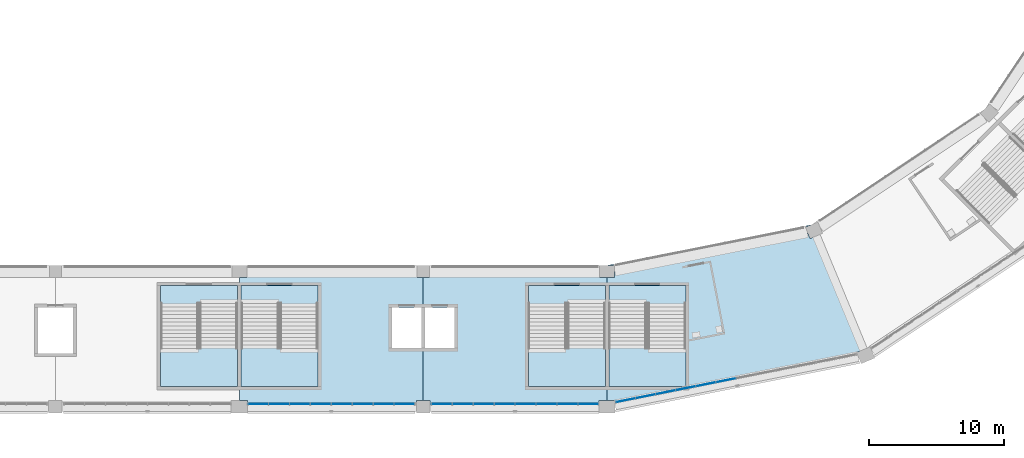
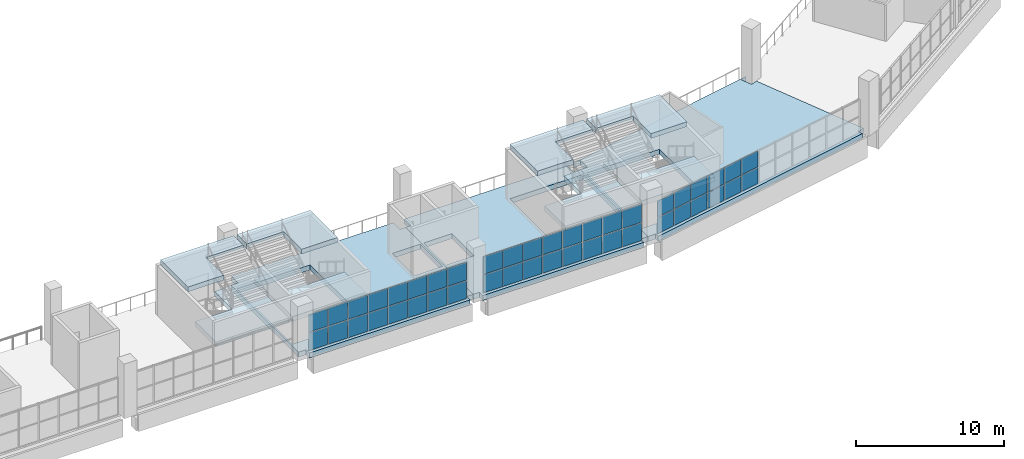
# One storey, part 46 of 177: 44 plates, 11 slabs, 7 elements without a shape of their own.
"""IFC4 building model written with IfcOpenShell, lengths in metres."""

import ifcopenshell
import ifcopenshell.guid

model = None  # the IFC model being written
_history = None  # IfcOwnerHistory: only IFC2X3 demands one
_inside = {}  # id of a spatial element -> (the spatial element, [elements in it])
_under = {}  # id of a project, library or spatial element -> (it, [spatial elements below it])
_declared = {}  # id of a project -> (the project, [libraries it declares])
_typed = {}  # id of a type object -> (the type object, [elements of that type])
_made_of = {}  # id of a material, layer set ... -> (it, [elements and type objects made of it])


def new_model(schema):
    """Start an empty IFC model of exactly this schema.

    Asked for "IFC4X3", IfcOpenShell would pick the latest addendum, in which some entities
    have other attributes; the version numbers below select the first issue.
    IFC2X3 requires an IfcOwnerHistory on every rooted entity: one is made here for all.
    """
    global model, _history
    if schema == "IFC4X3":
        model = ifcopenshell.file(schema_version=(4, 3, 0, 0))
    else:
        model = ifcopenshell.file(schema=schema)
    _inside.clear()
    _under.clear()
    _declared.clear()
    _typed.clear()
    _made_of.clear()
    _history = None
    if model.schema == "IFC2X3":
        org = make("IfcOrganization", Name="unknown")
        user = make(
            "IfcPersonAndOrganization",
            ThePerson=make("IfcPerson", FamilyName="unknown"),
            TheOrganization=org,
        )
        app = make(
            "IfcApplication",
            ApplicationDeveloper=org,
            Version="unknown",
            ApplicationFullName="unknown",
            ApplicationIdentifier="unknown",
        )
        _history = make(
            "IfcOwnerHistory",
            OwningUser=user,
            OwningApplication=app,
            ChangeAction="ADDED",
            CreationDate=0,
        )
    return model


def make(cls, **values):
    """One entity of the class cls with the attributes given. An attribute that is None is left unset."""
    return model.create_entity(
        cls, **{name: value for name, value in values.items() if value is not None}
    )


def rooted(cls, **values):
    """An entity with a GlobalId (a new one), such as an element, a storey or a relation."""
    return make(cls, GlobalId=ifcopenshell.guid.new(), OwnerHistory=_history, **values)


def si_unit(unit_type, name, prefix=None):
    """IfcSIUnit, for example si_unit("LENGTHUNIT", "METRE", prefix="MILLI")."""
    return make("IfcSIUnit", UnitType=unit_type, Prefix=prefix, Name=name)


def assignment(units):
    """IfcUnitAssignment: the units of a project."""
    return None if units is None else make("IfcUnitAssignment", Units=units)


def point(xyz):
    """IfcCartesianPoint."""
    return None if xyz is None else make("IfcCartesianPoint", Coordinates=xyz)


def direction(xyz):
    """IfcDirection."""
    return None if xyz is None else make("IfcDirection", DirectionRatios=xyz)


def frame(location, z_axis=None, x_axis=None):
    """IfcAxis2Placement3D, a coordinate frame: its origin and axes. An axis left out is left unset."""
    return make(
        "IfcAxis2Placement3D",
        Location=point(location),
        Axis=direction(z_axis),
        RefDirection=direction(x_axis),
    )


def frame_2d(location, x_axis=None):
    """IfcAxis2Placement2D, a coordinate frame in the plane: its origin and x axis."""
    return make(
        "IfcAxis2Placement2D", Location=point(location), RefDirection=direction(x_axis)
    )


def origin():
    """The frame at (0, 0, 0) with its axes left unset."""
    return frame((0.0, 0.0, 0.0))


def origin_2d():
    """The frame at (0, 0) in the plane with its x axis left unset."""
    return frame_2d((0.0, 0.0))


def place(relative_to, where):
    """IfcLocalPlacement: puts the frame where relative to a parent placement (None: the world)."""
    return make(
        "IfcLocalPlacement", PlacementRelTo=relative_to, RelativePlacement=where
    )


def context(
    kind, dimensions, precision=None, world=None, true_north=None, identifier=None
):
    """IfcGeometricRepresentationContext, for example the 3D "Model" context."""
    return make(
        "IfcGeometricRepresentationContext",
        ContextIdentifier=identifier,
        ContextType=kind,
        CoordinateSpaceDimension=dimensions,
        Precision=precision,
        WorldCoordinateSystem=world,
        TrueNorth=true_north,
    )


def subcontext(parent, identifier, kind, view, scale=None):
    """IfcGeometricRepresentationSubContext, for example "Body" below "Model"."""
    return make(
        "IfcGeometricRepresentationSubContext",
        ContextIdentifier=identifier,
        ContextType=kind,
        ParentContext=parent,
        TargetScale=scale,
        TargetView=view,
    )


def project(units=None, contexts=None):
    """IfcProject with its units and contexts."""
    return rooted(
        "IfcProject",
        Name="project",
        RepresentationContexts=contexts,
        UnitsInContext=assignment(units),
    )


def spatial(cls, under=None, at=None, **own):
    """A site, building, storey or space (cls), placed at a placement, below another one or the project."""
    s = rooted(cls, ObjectPlacement=at, **own)
    if under is not None:
        _under.setdefault(under.id(), (under, []))[1].append(s)
    return s


def polyline(points):
    """IfcPolyline through the points."""
    return make("IfcPolyline", Points=[point(p) for p in points])


def profile(cls, at=None, kind="AREA", **sizes):
    """A parametric profile (cls). Its sizes go by their IFC names, for example OverallWidth=200.0."""
    return make(cls, ProfileType=kind, Position=at, **sizes)


def rectangle(**sizes):
    """IfcRectangleProfileDef."""
    return profile("IfcRectangleProfileDef", **sizes)


def outline(outer, holes=None, kind="AREA"):
    """IfcArbitraryClosedProfileDef: a profile drawn as a closed curve; with holes, ...WithVoids."""
    if holes is None:
        return make("IfcArbitraryClosedProfileDef", ProfileType=kind, OuterCurve=outer)
    return make(
        "IfcArbitraryProfileDefWithVoids",
        ProfileType=kind,
        OuterCurve=outer,
        InnerCurves=holes,
    )


def extrude(swept, where, along, depth):
    """IfcExtrudedAreaSolid: the profile swept, set in the frame where, extruded along a direction by depth."""
    return make(
        "IfcExtrudedAreaSolid",
        SweptArea=swept,
        Position=where,
        ExtrudedDirection=direction(along),
        Depth=depth,
    )


def shape(context_of_items, identifier, shape_type, items):
    """IfcShapeRepresentation: the items that make up one representation, for example the "Body"."""
    return make(
        "IfcShapeRepresentation",
        ContextOfItems=context_of_items,
        RepresentationIdentifier=identifier,
        RepresentationType=shape_type,
        Items=items,
    )


def material(Name=None, Category=None):
    """IfcMaterial."""
    return make("IfcMaterial", Name=Name, Category=Category)


def layer(
    of_material, thickness, ventilated=None, Name=None, Category=None, Priority=None
):
    """IfcMaterialLayer: one layer of a wall or slab, of a material (None: an air gap)."""
    return make(
        "IfcMaterialLayer",
        Material=of_material,
        LayerThickness=thickness,
        IsVentilated=ventilated,
        Name=Name,
        Category=Category,
        Priority=Priority,
    )


def layer_set(layers, Name=None):
    """IfcMaterialLayerSet."""
    return make("IfcMaterialLayerSet", MaterialLayers=layers, LayerSetName=Name)


def made_of(thing, what):
    """Note that an element or type object is made of a material, layer set ...; save() writes the relation."""
    if what is not None:
        _made_of.setdefault(what.id(), (what, []))[1].append(thing)
    return thing


def type_object(cls, material=None, **own):
    """A type object (cls), such as IfcWallType, which elements share."""
    return made_of(rooted(cls, **own), material)


def element(
    cls,
    number,
    at=None,
    inside=None,
    cuts=None,
    type_object=None,
    material=None,
    context=None,
    identifier="Body",
    shape_type=None,
    held_by="IfcProductDefinitionShape",
    body=None,
    shapes=None,
    **own,
):
    """One element of the class cls, such as IfcWall. Its Tag is "e" and its number.

    at: its placement. inside: the storey or other place that contains it. cuts: it is an
    opening in that element (IfcRelVoidsElement). A single representation is given by context,
    identifier, shape_type and body (its items); several are given by shapes. held_by: the class
    of the entity that holds the representations. save() writes the other relations.
    """
    e = rooted(cls, Tag="e%d" % number, ObjectPlacement=at, **own)
    if body is not None:
        shapes = [shape(context, identifier, shape_type, body)]
    if shapes is not None:
        e.Representation = make(held_by, Representations=shapes)
    if inside is not None:
        _inside.setdefault(inside.id(), (inside, []))[1].append(e)
    if cuts is not None:
        rooted(
            "IfcRelVoidsElement", RelatingBuildingElement=cuts, RelatedOpeningElement=e
        )
    if type_object is not None:
        _typed.setdefault(type_object.id(), (type_object, []))[1].append(e)
    return made_of(e, material)


def aggregate(whole, parts):
    """IfcRelAggregates: a whole, such as a stair, and the parts it consists of."""
    return rooted("IfcRelAggregates", RelatingObject=whole, RelatedObjects=parts)


def save(model, path):
    """Write the relations noted so far, then the file.

    IfcRelAggregates (storeys below a building ...), IfcRelContainedInSpatialStructure (elements
    in a storey), IfcRelDefinesByType, IfcRelAssociatesMaterial and IfcRelDeclares: one each for
    every whole, place, type object, material and project.
    """
    for whole, parts in _under.values():
        aggregate(whole, parts)
    for where, things in _inside.values():
        rooted(
            "IfcRelContainedInSpatialStructure",
            RelatedElements=things,
            RelatingStructure=where,
        )
    for kind, things in _typed.values():
        rooted("IfcRelDefinesByType", RelatedObjects=things, RelatingType=kind)
    for what, things in _made_of.values():
        rooted("IfcRelAssociatesMaterial", RelatedObjects=things, RelatingMaterial=what)
    for by, libraries in _declared.values():
        rooted("IfcRelDeclares", RelatingContext=by, RelatedDefinitions=libraries)
    model.write(path)


model = new_model("IFC4")

# Units and contexts
model_context = context("Model", 3, precision=1e-05, world=origin(), true_north=direction((0.0, 1.0)))
body_context = subcontext(model_context, "Body", "Model", "MODEL_VIEW")
ifc_project = project(units=[si_unit("LENGTHUNIT", "METRE"), si_unit("AREAUNIT", "SQUARE_METRE"), si_unit("VOLUMEUNIT", "CUBIC_METRE"), si_unit("PLANEANGLEUNIT", "RADIAN"), si_unit("MASSUNIT", "GRAM", prefix="KILO")], contexts=[model_context])

# Site, building, storey
site_placement = place(None, origin())
site = spatial("IfcSite", under=ifc_project, at=site_placement, CompositionType="ELEMENT")
building_placement = place(site_placement, origin())
building = spatial("IfcBuilding", under=site, at=building_placement, Name="Ogive Plaza Stadium", CompositionType="ELEMENT")
storey_placement = place(building_placement, frame((0.0, 0.0, 18.0)))
storey = spatial("IfcBuildingStorey", under=building, at=storey_placement, Name="L04", CompositionType="ELEMENT", Elevation=18.0)

# Curtain wall, plates
ifc_material_1 = material(Name="Bronze-anodised aluminium with laminated glass", Category="aluminium")
curtain_wall_type = type_object("IfcCurtainWallType", Name="Lancet curtain wall", PredefinedType="NOTDEFINED", material=ifc_material_1)
curtain_wall_1_placement = place(storey_placement, origin())
curtain_wall_1 = element("IfcCurtainWall", 1, at=curtain_wall_1_placement, inside=storey, type_object=curtain_wall_type, Name="CURTAIN WALL B11 L04", PredefinedType="NOTDEFINED")
ifc_material_2 = material(Name="Laminated glass", Category="glass")
ifc_layer_1 = layer(ifc_material_2, 0.028076171875)
ifc_layer_set_1 = layer_set([ifc_layer_1], Name="Laminated glass panel 28")
plate_type = type_object("IfcPlateType", Name="Laminated glass panel 28", PredefinedType="CURTAIN_PANEL", material=ifc_layer_set_1)
plate_1_placement = place(storey_placement, frame((42.78564453125, -100.548583984375, 0.0498046875), z_axis=(0.0, 0.0, 1.0), x_axis=(-0.980785280403, -0.195090322016, 0.0)))
plate_1 = element("IfcPlate", 2, at=plate_1_placement, type_object=plate_type, Name="CW-B11-L04 panel 7.1", PredefinedType="CURTAIN_PANEL", context=body_context, shape_type="SweptSolid", body=[
    extrude(rectangle(XDim=1.4638671875, YDim=0.028076171875, at=origin_2d()), origin(), (0.0, 0.0, 1.0), 1.320068359375),
])
plate_2_placement = place(storey_placement, frame((42.78564453125, -100.548583984375, 1.419921875), z_axis=(0.0, 0.0, 1.0), x_axis=(-0.980785280403, -0.195090322016, 0.0)))
plate_2 = element("IfcPlate", 3, at=plate_2_placement, type_object=plate_type, Name="CW-B11-L04 panel 7.2", PredefinedType="CURTAIN_PANEL", context=body_context, shape_type="SweptSolid", body=[
    extrude(rectangle(XDim=1.4638671875, YDim=0.028076171875, at=origin_2d()), origin(), (0.0, 0.0, 1.0), 1.320068359375),
])
plate_3_placement = place(storey_placement, frame((41.301025390625, -100.84375, 0.0498046875), z_axis=(0.0, 0.0, 1.0), x_axis=(-0.980785280403, -0.195090322016, 0.0)))
plate_3 = element("IfcPlate", 4, at=plate_3_placement, type_object=plate_type, Name="CW-B11-L04 panel 8.1", PredefinedType="CURTAIN_PANEL", context=body_context, shape_type="SweptSolid", body=[
    extrude(rectangle(XDim=1.4638671875, YDim=0.028076171875, at=origin_2d()), origin(), (0.0, 0.0, 1.0), 1.320068359375),
])
plate_4_placement = place(storey_placement, frame((41.301025390625, -100.84375, 1.419921875), z_axis=(0.0, 0.0, 1.0), x_axis=(-0.980785280403, -0.195090322016, 0.0)))
plate_4 = element("IfcPlate", 5, at=plate_4_placement, type_object=plate_type, Name="CW-B11-L04 panel 8.2", PredefinedType="CURTAIN_PANEL", context=body_context, shape_type="SweptSolid", body=[
    extrude(rectangle(XDim=1.4638671875, YDim=0.028076171875, at=origin_2d()), origin(), (0.0, 0.0, 1.0), 1.320068359375),
])
plate_5_placement = place(storey_placement, frame((39.816162109375, -101.13916015625, 0.0498046875), z_axis=(0.0, 0.0, 1.0), x_axis=(-0.980785280403, -0.195090322016, 0.0)))
plate_5 = element("IfcPlate", 6, at=plate_5_placement, type_object=plate_type, Name="CW-B11-L04 panel 9.1", PredefinedType="CURTAIN_PANEL", context=body_context, shape_type="SweptSolid", body=[
    extrude(rectangle(XDim=1.4638671875, YDim=0.028076171875, at=origin_2d()), origin(), (0.0, 0.0, 1.0), 1.320068359375),
])
plate_6_placement = place(storey_placement, frame((39.816162109375, -101.13916015625, 1.419921875), z_axis=(0.0, 0.0, 1.0), x_axis=(-0.980785280403, -0.195090322016, 0.0)))
plate_6 = element("IfcPlate", 7, at=plate_6_placement, type_object=plate_type, Name="CW-B11-L04 panel 9.2", PredefinedType="CURTAIN_PANEL", context=body_context, shape_type="SweptSolid", body=[
    extrude(rectangle(XDim=1.4638671875, YDim=0.028076171875, at=origin_2d()), origin(), (0.0, 0.0, 1.0), 1.320068359375),
])
plate_7_placement = place(storey_placement, frame((38.331298828125, -101.4345703125, 0.0498046875), z_axis=(0.0, 0.0, 1.0), x_axis=(-0.980785280403, -0.195090322016, 0.0)))
plate_7 = element("IfcPlate", 8, at=plate_7_placement, type_object=plate_type, Name="CW-B11-L04 panel 10.1", PredefinedType="CURTAIN_PANEL", context=body_context, shape_type="SweptSolid", body=[
    extrude(rectangle(XDim=1.4638671875, YDim=0.028076171875, at=origin_2d()), origin(), (0.0, 0.0, 1.0), 1.320068359375),
])
plate_8_placement = place(storey_placement, frame((38.331298828125, -101.4345703125, 1.419921875), z_axis=(0.0, 0.0, 1.0), x_axis=(-0.980785280403, -0.195090322016, 0.0)))
plate_8 = element("IfcPlate", 9, at=plate_8_placement, type_object=plate_type, Name="CW-B11-L04 panel 10.2", PredefinedType="CURTAIN_PANEL", context=body_context, shape_type="SweptSolid", body=[
    extrude(rectangle(XDim=1.4638671875, YDim=0.028076171875, at=origin_2d()), origin(), (0.0, 0.0, 1.0), 1.320068359375),
])
plate_9_placement = place(storey_placement, frame((36.8466796875, -101.729736328125, 0.0498046875), z_axis=(0.0, 0.0, 1.0), x_axis=(-0.980785280403, -0.195090322016, 0.0)))
plate_9 = element("IfcPlate", 10, at=plate_9_placement, type_object=plate_type, Name="CW-B11-L04 panel 11.1", PredefinedType="CURTAIN_PANEL", context=body_context, shape_type="SweptSolid", body=[
    extrude(rectangle(XDim=1.4638671875, YDim=0.028076171875, at=origin_2d()), origin(), (0.0, 0.0, 1.0), 1.320068359375),
])
plate_10_placement = place(storey_placement, frame((36.8466796875, -101.729736328125, 1.419921875), z_axis=(0.0, 0.0, 1.0), x_axis=(-0.980785280403, -0.195090322016, 0.0)))
plate_10 = element("IfcPlate", 11, at=plate_10_placement, type_object=plate_type, Name="CW-B11-L04 panel 11.2", PredefinedType="CURTAIN_PANEL", context=body_context, shape_type="SweptSolid", body=[
    extrude(rectangle(XDim=1.4638671875, YDim=0.028076171875, at=origin_2d()), origin(), (0.0, 0.0, 1.0), 1.320068359375),
])
plate_11_placement = place(storey_placement, frame((35.374267578125, -102.022705078125, 0.0498046875), z_axis=(0.0, 0.0, 1.0), x_axis=(-0.980785280403, -0.195090322016, 0.0)))
plate_11 = element("IfcPlate", 12, at=plate_11_placement, type_object=plate_type, Name="CW-B11-L04 panel 12.1", PredefinedType="CURTAIN_PANEL", context=body_context, shape_type="SweptSolid", body=[
    extrude(rectangle(XDim=1.43896484375, YDim=0.028076171875, at=origin_2d()), origin(), (0.0, 0.0, 1.0), 1.320068359375),
])
plate_12_placement = place(storey_placement, frame((35.374267578125, -102.022705078125, 1.419921875), z_axis=(0.0, 0.0, 1.0), x_axis=(-0.980785280403, -0.195090322016, 0.0)))
plate_12 = element("IfcPlate", 13, at=plate_12_placement, type_object=plate_type, Name="CW-B11-L04 panel 12.2", PredefinedType="CURTAIN_PANEL", context=body_context, shape_type="SweptSolid", body=[
    extrude(rectangle(XDim=1.43896484375, YDim=0.028076171875, at=origin_2d()), origin(), (0.0, 0.0, 1.0), 1.320068359375),
])
aggregate(curtain_wall_1, [plate_1, plate_2, plate_3, plate_4, plate_5, plate_6, plate_7, plate_8, plate_9, plate_10, plate_11, plate_12])

curtain_wall_2_placement = place(storey_placement, origin())
curtain_wall_2 = element("IfcCurtainWall", 14, at=curtain_wall_2_placement, inside=storey, type_object=curtain_wall_type, Name="CURTAIN WALL B12 L04", PredefinedType="NOTDEFINED")
plate_13_placement = place(storey_placement, frame((32.612548828125, -102.300048828125, 0.0498046875), z_axis=(0.0, 0.0, 1.0), x_axis=(-1.0, 0.0, 0.0)))
plate_13 = element("IfcPlate", 15, at=plate_13_placement, type_object=plate_type, Name="CW-B12-L04 panel 1.1", PredefinedType="CURTAIN_PANEL", context=body_context, shape_type="SweptSolid", body=[
    extrude(rectangle(XDim=1.47509765625, YDim=0.028076171875, at=origin_2d()), origin(), (0.0, 0.0, 1.0), 1.469970703125),
])
plate_14_placement = place(storey_placement, frame((32.612548828125, -102.300048828125, 1.56982421875), z_axis=(0.0, 0.0, 1.0), x_axis=(-1.0, 0.0, 0.0)))
plate_14 = element("IfcPlate", 16, at=plate_14_placement, type_object=plate_type, Name="CW-B12-L04 panel 1.2", PredefinedType="CURTAIN_PANEL", context=body_context, shape_type="SweptSolid", body=[
    extrude(rectangle(XDim=1.47509765625, YDim=0.028076171875, at=origin_2d()), origin(), (0.0, 0.0, 1.0), 1.469970703125),
])
plate_15_placement = place(storey_placement, frame((31.074951171875, -102.300048828125, 0.0498046875), z_axis=(0.0, 0.0, 1.0), x_axis=(-1.0, 0.0, 0.0)))
plate_15 = element("IfcPlate", 17, at=plate_15_placement, type_object=plate_type, Name="CW-B12-L04 panel 2.1", PredefinedType="CURTAIN_PANEL", context=body_context, shape_type="SweptSolid", body=[
    extrude(rectangle(XDim=1.5, YDim=0.028076171875, at=origin_2d()), origin(), (0.0, 0.0, 1.0), 1.469970703125),
])
plate_16_placement = place(storey_placement, frame((31.074951171875, -102.300048828125, 1.56982421875), z_axis=(0.0, 0.0, 1.0), x_axis=(-1.0, 0.0, 0.0)))
plate_16 = element("IfcPlate", 18, at=plate_16_placement, type_object=plate_type, Name="CW-B12-L04 panel 2.2", PredefinedType="CURTAIN_PANEL", context=body_context, shape_type="SweptSolid", body=[
    extrude(rectangle(XDim=1.5, YDim=0.028076171875, at=origin_2d()), origin(), (0.0, 0.0, 1.0), 1.469970703125),
])
plate_17_placement = place(storey_placement, frame((29.52490234375, -102.300048828125, 0.0498046875), z_axis=(0.0, 0.0, 1.0), x_axis=(-1.0, 0.0, 0.0)))
plate_17 = element("IfcPlate", 19, at=plate_17_placement, type_object=plate_type, Name="CW-B12-L04 panel 3.1", PredefinedType="CURTAIN_PANEL", context=body_context, shape_type="SweptSolid", body=[
    extrude(rectangle(XDim=1.5, YDim=0.028076171875, at=origin_2d()), origin(), (0.0, 0.0, 1.0), 1.469970703125),
])
plate_18_placement = place(storey_placement, frame((29.52490234375, -102.300048828125, 1.56982421875), z_axis=(0.0, 0.0, 1.0), x_axis=(-1.0, 0.0, 0.0)))
plate_18 = element("IfcPlate", 20, at=plate_18_placement, type_object=plate_type, Name="CW-B12-L04 panel 3.2", PredefinedType="CURTAIN_PANEL", context=body_context, shape_type="SweptSolid", body=[
    extrude(rectangle(XDim=1.5, YDim=0.028076171875, at=origin_2d()), origin(), (0.0, 0.0, 1.0), 1.469970703125),
])
plate_19_placement = place(storey_placement, frame((27.97509765625, -102.300048828125, 0.0498046875), z_axis=(0.0, 0.0, 1.0), x_axis=(-1.0, 0.0, 0.0)))
plate_19 = element("IfcPlate", 21, at=plate_19_placement, type_object=plate_type, Name="CW-B12-L04 panel 4.1", PredefinedType="CURTAIN_PANEL", context=body_context, shape_type="SweptSolid", body=[
    extrude(rectangle(XDim=1.5, YDim=0.028076171875, at=origin_2d()), origin(), (0.0, 0.0, 1.0), 1.469970703125),
])
plate_20_placement = place(storey_placement, frame((27.97509765625, -102.300048828125, 1.56982421875), z_axis=(0.0, 0.0, 1.0), x_axis=(-1.0, 0.0, 0.0)))
plate_20 = element("IfcPlate", 22, at=plate_20_placement, type_object=plate_type, Name="CW-B12-L04 panel 4.2", PredefinedType="CURTAIN_PANEL", context=body_context, shape_type="SweptSolid", body=[
    extrude(rectangle(XDim=1.5, YDim=0.028076171875, at=origin_2d()), origin(), (0.0, 0.0, 1.0), 1.469970703125),
])
plate_21_placement = place(storey_placement, frame((26.425048828125, -102.300048828125, 0.0498046875), z_axis=(0.0, 0.0, 1.0), x_axis=(-1.0, 0.0, 0.0)))
plate_21 = element("IfcPlate", 23, at=plate_21_placement, type_object=plate_type, Name="CW-B12-L04 panel 5.1", PredefinedType="CURTAIN_PANEL", context=body_context, shape_type="SweptSolid", body=[
    extrude(rectangle(XDim=1.5, YDim=0.028076171875, at=origin_2d()), origin(), (0.0, 0.0, 1.0), 1.469970703125),
])
plate_22_placement = place(storey_placement, frame((26.425048828125, -102.300048828125, 1.56982421875), z_axis=(0.0, 0.0, 1.0), x_axis=(-1.0, 0.0, 0.0)))
plate_22 = element("IfcPlate", 24, at=plate_22_placement, type_object=plate_type, Name="CW-B12-L04 panel 5.2", PredefinedType="CURTAIN_PANEL", context=body_context, shape_type="SweptSolid", body=[
    extrude(rectangle(XDim=1.5, YDim=0.028076171875, at=origin_2d()), origin(), (0.0, 0.0, 1.0), 1.469970703125),
])
plate_23_placement = place(storey_placement, frame((24.875, -102.300048828125, 0.0498046875), z_axis=(0.0, 0.0, 1.0), x_axis=(-1.0, 0.0, 0.0)))
plate_23 = element("IfcPlate", 25, at=plate_23_placement, type_object=plate_type, Name="CW-B12-L04 panel 6.1", PredefinedType="CURTAIN_PANEL", context=body_context, shape_type="SweptSolid", body=[
    extrude(rectangle(XDim=1.5, YDim=0.028076171875, at=origin_2d()), origin(), (0.0, 0.0, 1.0), 1.469970703125),
])
plate_24_placement = place(storey_placement, frame((24.875, -102.300048828125, 1.56982421875), z_axis=(0.0, 0.0, 1.0), x_axis=(-1.0, 0.0, 0.0)))
plate_24 = element("IfcPlate", 26, at=plate_24_placement, type_object=plate_type, Name="CW-B12-L04 panel 6.2", PredefinedType="CURTAIN_PANEL", context=body_context, shape_type="SweptSolid", body=[
    extrude(rectangle(XDim=1.5, YDim=0.028076171875, at=origin_2d()), origin(), (0.0, 0.0, 1.0), 1.469970703125),
])
plate_25_placement = place(storey_placement, frame((23.324951171875, -102.300048828125, 0.0498046875), z_axis=(0.0, 0.0, 1.0), x_axis=(-1.0, 0.0, 0.0)))
plate_25 = element("IfcPlate", 27, at=plate_25_placement, type_object=plate_type, Name="CW-B12-L04 panel 7.1", PredefinedType="CURTAIN_PANEL", context=body_context, shape_type="SweptSolid", body=[
    extrude(rectangle(XDim=1.5, YDim=0.028076171875, at=origin_2d()), origin(), (0.0, 0.0, 1.0), 1.469970703125),
])
plate_26_placement = place(storey_placement, frame((23.324951171875, -102.300048828125, 1.56982421875), z_axis=(0.0, 0.0, 1.0), x_axis=(-1.0, 0.0, 0.0)))
plate_26 = element("IfcPlate", 28, at=plate_26_placement, type_object=plate_type, Name="CW-B12-L04 panel 7.2", PredefinedType="CURTAIN_PANEL", context=body_context, shape_type="SweptSolid", body=[
    extrude(rectangle(XDim=1.5, YDim=0.028076171875, at=origin_2d()), origin(), (0.0, 0.0, 1.0), 1.469970703125),
])
plate_27_placement = place(storey_placement, frame((21.78759765625, -102.300048828125, 0.0498046875), z_axis=(0.0, 0.0, 1.0), x_axis=(-1.0, 0.0, 0.0)))
plate_27 = element("IfcPlate", 29, at=plate_27_placement, type_object=plate_type, Name="CW-B12-L04 panel 8.1", PredefinedType="CURTAIN_PANEL", context=body_context, shape_type="SweptSolid", body=[
    extrude(rectangle(XDim=1.47509765625, YDim=0.028076171875, at=origin_2d()), origin(), (0.0, 0.0, 1.0), 1.469970703125),
])
plate_28_placement = place(storey_placement, frame((21.78759765625, -102.300048828125, 1.56982421875), z_axis=(0.0, 0.0, 1.0), x_axis=(-1.0, 0.0, 0.0)))
plate_28 = element("IfcPlate", 30, at=plate_28_placement, type_object=plate_type, Name="CW-B12-L04 panel 8.2", PredefinedType="CURTAIN_PANEL", context=body_context, shape_type="SweptSolid", body=[
    extrude(rectangle(XDim=1.47509765625, YDim=0.028076171875, at=origin_2d()), origin(), (0.0, 0.0, 1.0), 1.469970703125),
])
aggregate(curtain_wall_2, [plate_13, plate_14, plate_15, plate_16, plate_17, plate_18, plate_19, plate_20, plate_21, plate_22, plate_23, plate_24, plate_25, plate_26, plate_27, plate_28])

curtain_wall_3_placement = place(storey_placement, origin())
curtain_wall_3 = element("IfcCurtainWall", 31, at=curtain_wall_3_placement, inside=storey, type_object=curtain_wall_type, Name="CURTAIN WALL B13 L04", PredefinedType="NOTDEFINED")
plate_29_placement = place(storey_placement, frame((19.012451171875, -102.300048828125, 0.0498046875), z_axis=(0.0, 0.0, 1.0), x_axis=(-1.0, 0.0, 0.0)))
plate_29 = element("IfcPlate", 32, at=plate_29_placement, type_object=plate_type, Name="CW-B13-L04 panel 1.1", PredefinedType="CURTAIN_PANEL", context=body_context, shape_type="SweptSolid", body=[
    extrude(rectangle(XDim=1.47509765625, YDim=0.028076171875, at=origin_2d()), origin(), (0.0, 0.0, 1.0), 1.469970703125),
])
plate_30_placement = place(storey_placement, frame((19.012451171875, -102.300048828125, 1.56982421875), z_axis=(0.0, 0.0, 1.0), x_axis=(-1.0, 0.0, 0.0)))
plate_30 = element("IfcPlate", 33, at=plate_30_placement, type_object=plate_type, Name="CW-B13-L04 panel 1.2", PredefinedType="CURTAIN_PANEL", context=body_context, shape_type="SweptSolid", body=[
    extrude(rectangle(XDim=1.47509765625, YDim=0.028076171875, at=origin_2d()), origin(), (0.0, 0.0, 1.0), 1.469970703125),
])
plate_31_placement = place(storey_placement, frame((17.47509765625, -102.300048828125, 0.0498046875), z_axis=(0.0, 0.0, 1.0), x_axis=(-1.0, 0.0, 0.0)))
plate_31 = element("IfcPlate", 34, at=plate_31_placement, type_object=plate_type, Name="CW-B13-L04 panel 2.1", PredefinedType="CURTAIN_PANEL", context=body_context, shape_type="SweptSolid", body=[
    extrude(rectangle(XDim=1.5, YDim=0.028076171875, at=origin_2d()), origin(), (0.0, 0.0, 1.0), 1.469970703125),
])
plate_32_placement = place(storey_placement, frame((17.47509765625, -102.300048828125, 1.56982421875), z_axis=(0.0, 0.0, 1.0), x_axis=(-1.0, 0.0, 0.0)))
plate_32 = element("IfcPlate", 35, at=plate_32_placement, type_object=plate_type, Name="CW-B13-L04 panel 2.2", PredefinedType="CURTAIN_PANEL", context=body_context, shape_type="SweptSolid", body=[
    extrude(rectangle(XDim=1.5, YDim=0.028076171875, at=origin_2d()), origin(), (0.0, 0.0, 1.0), 1.469970703125),
])
plate_33_placement = place(storey_placement, frame((15.925048828125, -102.300048828125, 0.0498046875), z_axis=(0.0, 0.0, 1.0), x_axis=(-1.0, 0.0, 0.0)))
plate_33 = element("IfcPlate", 36, at=plate_33_placement, type_object=plate_type, Name="CW-B13-L04 panel 3.1", PredefinedType="CURTAIN_PANEL", context=body_context, shape_type="SweptSolid", body=[
    extrude(rectangle(XDim=1.5, YDim=0.028076171875, at=origin_2d()), origin(), (0.0, 0.0, 1.0), 1.469970703125),
])
plate_34_placement = place(storey_placement, frame((15.925048828125, -102.300048828125, 1.56982421875), z_axis=(0.0, 0.0, 1.0), x_axis=(-1.0, 0.0, 0.0)))
plate_34 = element("IfcPlate", 37, at=plate_34_placement, type_object=plate_type, Name="CW-B13-L04 panel 3.2", PredefinedType="CURTAIN_PANEL", context=body_context, shape_type="SweptSolid", body=[
    extrude(rectangle(XDim=1.5, YDim=0.028076171875, at=origin_2d()), origin(), (0.0, 0.0, 1.0), 1.469970703125),
])
plate_35_placement = place(storey_placement, frame((14.375, -102.300048828125, 0.0498046875), z_axis=(0.0, 0.0, 1.0), x_axis=(-1.0, 0.0, 0.0)))
plate_35 = element("IfcPlate", 38, at=plate_35_placement, type_object=plate_type, Name="CW-B13-L04 panel 4.1", PredefinedType="CURTAIN_PANEL", context=body_context, shape_type="SweptSolid", body=[
    extrude(rectangle(XDim=1.5, YDim=0.028076171875, at=origin_2d()), origin(), (0.0, 0.0, 1.0), 1.469970703125),
])
plate_36_placement = place(storey_placement, frame((14.375, -102.300048828125, 1.56982421875), z_axis=(0.0, 0.0, 1.0), x_axis=(-1.0, 0.0, 0.0)))
plate_36 = element("IfcPlate", 39, at=plate_36_placement, type_object=plate_type, Name="CW-B13-L04 panel 4.2", PredefinedType="CURTAIN_PANEL", context=body_context, shape_type="SweptSolid", body=[
    extrude(rectangle(XDim=1.5, YDim=0.028076171875, at=origin_2d()), origin(), (0.0, 0.0, 1.0), 1.469970703125),
])
plate_37_placement = place(storey_placement, frame((12.824951171875, -102.300048828125, 0.0498046875), z_axis=(0.0, 0.0, 1.0), x_axis=(-1.0, 0.0, 0.0)))
plate_37 = element("IfcPlate", 40, at=plate_37_placement, type_object=plate_type, Name="CW-B13-L04 panel 5.1", PredefinedType="CURTAIN_PANEL", context=body_context, shape_type="SweptSolid", body=[
    extrude(rectangle(XDim=1.5, YDim=0.028076171875, at=origin_2d()), origin(), (0.0, 0.0, 1.0), 1.469970703125),
])
plate_38_placement = place(storey_placement, frame((12.824951171875, -102.300048828125, 1.56982421875), z_axis=(0.0, 0.0, 1.0), x_axis=(-1.0, 0.0, 0.0)))
plate_38 = element("IfcPlate", 41, at=plate_38_placement, type_object=plate_type, Name="CW-B13-L04 panel 5.2", PredefinedType="CURTAIN_PANEL", context=body_context, shape_type="SweptSolid", body=[
    extrude(rectangle(XDim=1.5, YDim=0.028076171875, at=origin_2d()), origin(), (0.0, 0.0, 1.0), 1.469970703125),
])
plate_39_placement = place(storey_placement, frame((11.27490234375, -102.300048828125, 0.0498046875), z_axis=(0.0, 0.0, 1.0), x_axis=(-1.0, 0.0, 0.0)))
plate_39 = element("IfcPlate", 42, at=plate_39_placement, type_object=plate_type, Name="CW-B13-L04 panel 6.1", PredefinedType="CURTAIN_PANEL", context=body_context, shape_type="SweptSolid", body=[
    extrude(rectangle(XDim=1.5, YDim=0.028076171875, at=origin_2d()), origin(), (0.0, 0.0, 1.0), 1.469970703125),
])
plate_40_placement = place(storey_placement, frame((11.27490234375, -102.300048828125, 1.56982421875), z_axis=(0.0, 0.0, 1.0), x_axis=(-1.0, 0.0, 0.0)))
plate_40 = element("IfcPlate", 43, at=plate_40_placement, type_object=plate_type, Name="CW-B13-L04 panel 6.2", PredefinedType="CURTAIN_PANEL", context=body_context, shape_type="SweptSolid", body=[
    extrude(rectangle(XDim=1.5, YDim=0.028076171875, at=origin_2d()), origin(), (0.0, 0.0, 1.0), 1.469970703125),
])
plate_41_placement = place(storey_placement, frame((9.72509765625, -102.300048828125, 0.0498046875), z_axis=(0.0, 0.0, 1.0), x_axis=(-1.0, 0.0, 0.0)))
plate_41 = element("IfcPlate", 44, at=plate_41_placement, type_object=plate_type, Name="CW-B13-L04 panel 7.1", PredefinedType="CURTAIN_PANEL", context=body_context, shape_type="SweptSolid", body=[
    extrude(rectangle(XDim=1.5, YDim=0.028076171875, at=origin_2d()), origin(), (0.0, 0.0, 1.0), 1.469970703125),
])
plate_42_placement = place(storey_placement, frame((9.72509765625, -102.300048828125, 1.56982421875), z_axis=(0.0, 0.0, 1.0), x_axis=(-1.0, 0.0, 0.0)))
plate_42 = element("IfcPlate", 45, at=plate_42_placement, type_object=plate_type, Name="CW-B13-L04 panel 7.2", PredefinedType="CURTAIN_PANEL", context=body_context, shape_type="SweptSolid", body=[
    extrude(rectangle(XDim=1.5, YDim=0.028076171875, at=origin_2d()), origin(), (0.0, 0.0, 1.0), 1.469970703125),
])
plate_43_placement = place(storey_placement, frame((8.1875, -102.300048828125, 0.0498046875), z_axis=(0.0, 0.0, 1.0), x_axis=(-1.0, 0.0, 0.0)))
plate_43 = element("IfcPlate", 46, at=plate_43_placement, type_object=plate_type, Name="CW-B13-L04 panel 8.1", PredefinedType="CURTAIN_PANEL", context=body_context, shape_type="SweptSolid", body=[
    extrude(rectangle(XDim=1.47509765625, YDim=0.028076171875, at=origin_2d()), origin(), (0.0, 0.0, 1.0), 1.469970703125),
])
plate_44_placement = place(storey_placement, frame((8.1875, -102.300048828125, 1.56982421875), z_axis=(0.0, 0.0, 1.0), x_axis=(-1.0, 0.0, 0.0)))
plate_44 = element("IfcPlate", 47, at=plate_44_placement, type_object=plate_type, Name="CW-B13-L04 panel 8.2", PredefinedType="CURTAIN_PANEL", context=body_context, shape_type="SweptSolid", body=[
    extrude(rectangle(XDim=1.47509765625, YDim=0.028076171875, at=origin_2d()), origin(), (0.0, 0.0, 1.0), 1.469970703125),
])
aggregate(curtain_wall_3, [plate_29, plate_30, plate_31, plate_32, plate_33, plate_34, plate_35, plate_36, plate_37, plate_38, plate_39, plate_40, plate_41, plate_42, plate_43, plate_44])

# Slabs
ifc_material_3 = material(Name="Concrete C40/50", Category="concrete")
ifc_layer_2 = layer(ifc_material_3, 0.409912109375)
ifc_layer_set_2 = layer_set([ifc_layer_2], Name="Concrete C40/50")
slab_type_1 = type_object("IfcSlabType", Name="RC floor slab 410", PredefinedType="FLOOR", material=ifc_layer_set_2)
slab_1_placement = place(storey_placement, frame((0.0, 0.0, -0.409912109375)))
element("IfcSlab", 48, at=slab_1_placement, inside=storey, type_object=slab_type_1, Name="Floor slab L04 B11", PredefinedType="FLOOR", context=body_context, shape_type="SweptSolid", body=[
    extrude(outline(polyline([(34.0, -102.050048828125), (34.60009765625, -102.050048828125), (34.60009765625, -102.380615234375), (52.584228515625, -98.803466796875), (52.453857421875, -98.48876953125), (52.9619140625, -98.2783203125), (49.4794921875, -89.870849609375), (49.017578125, -90.062255859375), (48.673095703125, -89.230712890625), (49.135009765625, -89.03955078125), (34.0, -92.050048828125), (34.550048828125, -92.050048828125), (34.550048828125, -92.949951171875), (34.0, -92.949951171875), (34.0, -102.050048828125)]), holes=[polyline([(39.824951171875, -93.550048828125), (34.125, -93.550048828125), (34.125, -101.010009765625), (39.824951171875, -101.010009765625), (39.824951171875, -93.550048828125)])]), origin(), (0.0, 0.0, 1.0), 0.409912109375),
])
slab_2_placement = place(storey_placement, frame((0.0, 0.0, -0.409912109375)))
element("IfcSlab", 49, at=slab_2_placement, inside=storey, type_object=slab_type_1, Name="Floor slab L04 B12", PredefinedType="FLOOR", context=body_context, shape_type="SweptSolid", body=[
    extrude(outline(polyline([(20.39990234375, -102.050048828125), (20.89990234375, -102.050048828125), (20.89990234375, -102.5), (33.39990234375, -102.5), (33.39990234375, -102.050048828125), (34.0, -102.050048828125), (34.0, -92.949951171875), (33.449951171875, -92.949951171875), (33.449951171875, -92.050048828125), (20.85009765625, -92.050048828125), (20.85009765625, -92.949951171875), (20.39990234375, -92.949951171875), (20.39990234375, -102.050048828125)]), holes=[polyline([(33.875, -93.550048828125), (28.175048828125, -93.550048828125), (28.175048828125, -101.010009765625), (33.875, -101.010009765625), (33.875, -93.550048828125)]), polyline([(20.52490234375, -95.14990234375), (20.52490234375, -98.14990234375), (22.72509765625, -98.14990234375), (22.72509765625, -95.14990234375), (20.52490234375, -95.14990234375)])]), origin(), (0.0, 0.0, 1.0), 0.409912109375),
])
slab_3_placement = place(storey_placement, frame((0.0, 0.0, -0.409912109375)))
element("IfcSlab", 50, at=slab_3_placement, inside=storey, type_object=slab_type_1, Name="Floor slab L04 B13", PredefinedType="FLOOR", context=body_context, shape_type="SweptSolid", body=[
    extrude(outline(polyline([(6.800048828125, -102.050048828125), (7.39990234375, -102.050048828125), (7.39990234375, -102.5), (19.89990234375, -102.5), (19.89990234375, -102.050048828125), (20.39990234375, -102.050048828125), (20.39990234375, -92.949951171875), (19.949951171875, -92.949951171875), (19.949951171875, -92.050048828125), (7.35009765625, -92.050048828125), (7.35009765625, -92.949951171875), (6.800048828125, -92.949951171875), (6.800048828125, -102.050048828125)]), holes=[polyline([(12.625, -93.550048828125), (6.925048828125, -93.550048828125), (6.925048828125, -101.010009765625), (12.625, -101.010009765625), (12.625, -93.550048828125)]), polyline([(20.27490234375, -95.14990234375), (18.074951171875, -95.14990234375), (18.074951171875, -98.14990234375), (20.27490234375, -98.14990234375), (20.27490234375, -95.14990234375)])]), origin(), (0.0, 0.0, 1.0), 0.409912109375),
])

# Stair, slabs
ifc_material_4 = material(Name="Concrete C40/50", Category="concrete")
stair_type = type_object("IfcStairType", Name="Exit stair", PredefinedType="STRAIGHT_RUN_STAIR", material=ifc_material_4)
stair_1_placement = place(storey_placement, origin())
stair_1 = element("IfcStair", 51, at=stair_1_placement, inside=storey, type_object=stair_type, Name="Exit stair ST12A L04 to L05", PredefinedType="STRAIGHT_RUN_STAIR")
ifc_material_5 = material(Name="Concrete C40/50", Category="concrete")
ifc_layer_3 = layer(ifc_material_5, 0.39990234375)
ifc_layer_set_3 = layer_set([ifc_layer_3], Name="Concrete C40/50")
slab_type_2 = type_object("IfcSlabType", Name="Stair landing", PredefinedType="LANDING", material=ifc_layer_set_3)
slab_4_placement = place(storey_placement, frame((0.0, 0.0, 1.85009765625)))
slab_4 = element("IfcSlab", 52, at=slab_4_placement, type_object=slab_type_2, Name="ST12A landing 1", PredefinedType="LANDING", context=body_context, shape_type="SweptSolid", body=[
    extrude(outline(polyline([(33.875, -101.010009765625), (28.175048828125, -101.010009765625), (28.175048828125, -98.2099609375), (31.074951171875, -98.2099609375), (31.074951171875, -95.81005859375), (33.875, -95.81005859375), (33.875, -98.2099609375), (33.875, -101.010009765625)])), origin(), (0.0, 0.0, 1.0), 0.39990234375),
])
slab_5_placement = place(storey_placement, frame((0.0, 0.0, 4.10009765625)))
slab_5 = element("IfcSlab", 53, at=slab_5_placement, type_object=slab_type_2, Name="ST12A landing 2", PredefinedType="LANDING", context=body_context, shape_type="SweptSolid", body=[
    extrude(outline(polyline([(30.97509765625, -97.25), (28.175048828125, -97.25), (28.175048828125, -94.85009765625), (28.175048828125, -93.550048828125), (33.875, -93.550048828125), (33.875, -94.85009765625), (30.97509765625, -94.85009765625), (30.97509765625, -97.25)])), origin(), (0.0, 0.0, 1.0), 0.39990234375),
])
aggregate(stair_1, [slab_4, slab_5])

stair_2_placement = place(storey_placement, origin())
stair_2 = element("IfcStair", 54, at=stair_2_placement, inside=storey, type_object=stair_type, Name="Exit stair ST12B L04 to L05", PredefinedType="STRAIGHT_RUN_STAIR")
slab_6_placement = place(storey_placement, frame((0.0, 0.0, 1.85009765625)))
slab_6 = element("IfcSlab", 55, at=slab_6_placement, type_object=slab_type_2, Name="ST12B landing 1", PredefinedType="LANDING", context=body_context, shape_type="SweptSolid", body=[
    extrude(outline(polyline([(34.125, -95.81005859375), (36.925048828125, -95.81005859375), (36.925048828125, -98.2099609375), (39.824951171875, -98.2099609375), (39.824951171875, -101.010009765625), (34.125, -101.010009765625), (34.125, -98.2099609375), (34.125, -95.81005859375)])), origin(), (0.0, 0.0, 1.0), 0.39990234375),
])
slab_7_placement = place(storey_placement, frame((0.0, 0.0, 4.10009765625)))
slab_7 = element("IfcSlab", 56, at=slab_7_placement, type_object=slab_type_2, Name="ST12B landing 2", PredefinedType="LANDING", context=body_context, shape_type="SweptSolid", body=[
    extrude(outline(polyline([(34.125, -94.85009765625), (34.125, -93.550048828125), (39.824951171875, -93.550048828125), (39.824951171875, -94.85009765625), (39.824951171875, -97.25), (37.02490234375, -97.25), (37.02490234375, -94.85009765625), (34.125, -94.85009765625)])), origin(), (0.0, 0.0, 1.0), 0.39990234375),
])
aggregate(stair_2, [slab_6, slab_7])

stair_3_placement = place(storey_placement, origin())
stair_3 = element("IfcStair", 57, at=stair_3_placement, inside=storey, type_object=stair_type, Name="Exit stair ST14A L04 to L05", PredefinedType="STRAIGHT_RUN_STAIR")
slab_8_placement = place(storey_placement, frame((0.0, 0.0, 1.85009765625)))
slab_8 = element("IfcSlab", 58, at=slab_8_placement, type_object=slab_type_2, Name="ST14A landing 1", PredefinedType="LANDING", context=body_context, shape_type="SweptSolid", body=[
    extrude(outline(polyline([(6.675048828125, -101.010009765625), (0.97509765625, -101.010009765625), (0.97509765625, -98.2099609375), (3.875, -98.2099609375), (3.875, -95.81005859375), (6.675048828125, -95.81005859375), (6.675048828125, -98.2099609375), (6.675048828125, -101.010009765625)])), origin(), (0.0, 0.0, 1.0), 0.39990234375),
])
slab_9_placement = place(storey_placement, frame((0.0, 0.0, 4.10009765625)))
slab_9 = element("IfcSlab", 59, at=slab_9_placement, type_object=slab_type_2, Name="ST14A landing 2", PredefinedType="LANDING", context=body_context, shape_type="SweptSolid", body=[
    extrude(outline(polyline([(3.77490234375, -97.25), (0.97509765625, -97.25), (0.97509765625, -94.85009765625), (0.97509765625, -93.550048828125), (6.675048828125, -93.550048828125), (6.675048828125, -94.85009765625), (3.77490234375, -94.85009765625), (3.77490234375, -97.25)])), origin(), (0.0, 0.0, 1.0), 0.39990234375),
])
aggregate(stair_3, [slab_8, slab_9])

stair_4_placement = place(storey_placement, origin())
stair_4 = element("IfcStair", 60, at=stair_4_placement, inside=storey, type_object=stair_type, Name="Exit stair ST14B L04 to L05", PredefinedType="STRAIGHT_RUN_STAIR")
slab_10_placement = place(storey_placement, frame((0.0, 0.0, 1.85009765625)))
slab_10 = element("IfcSlab", 61, at=slab_10_placement, type_object=slab_type_2, Name="ST14B landing 1", PredefinedType="LANDING", context=body_context, shape_type="SweptSolid", body=[
    extrude(outline(polyline([(6.925048828125, -95.81005859375), (9.72509765625, -95.81005859375), (9.72509765625, -98.2099609375), (12.625, -98.2099609375), (12.625, -101.010009765625), (6.925048828125, -101.010009765625), (6.925048828125, -98.2099609375), (6.925048828125, -95.81005859375)])), origin(), (0.0, 0.0, 1.0), 0.39990234375),
])
slab_11_placement = place(storey_placement, frame((0.0, 0.0, 4.10009765625)))
slab_11 = element("IfcSlab", 62, at=slab_11_placement, type_object=slab_type_2, Name="ST14B landing 2", PredefinedType="LANDING", context=body_context, shape_type="SweptSolid", body=[
    extrude(outline(polyline([(6.925048828125, -94.85009765625), (6.925048828125, -93.550048828125), (12.625, -93.550048828125), (12.625, -94.85009765625), (12.625, -97.25), (9.824951171875, -97.25), (9.824951171875, -94.85009765625), (6.925048828125, -94.85009765625)])), origin(), (0.0, 0.0, 1.0), 0.39990234375),
])
aggregate(stair_4, [slab_10, slab_11])

save(model, "model.ifc")
